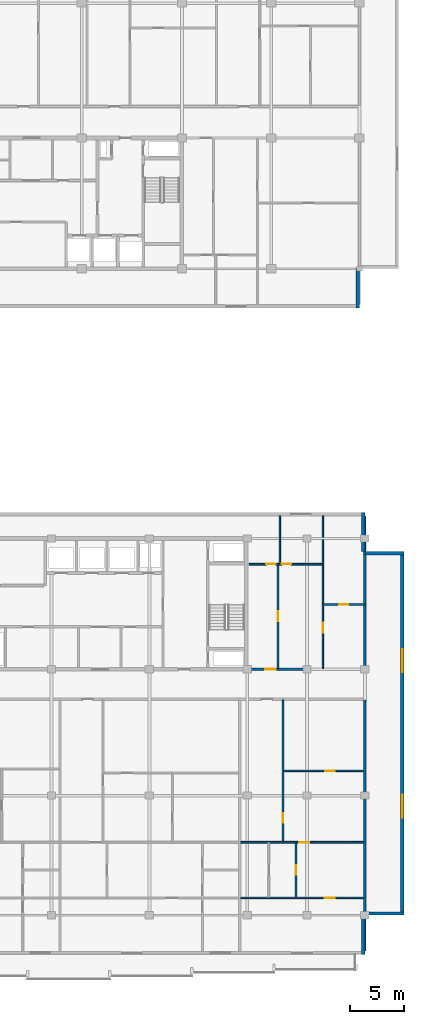
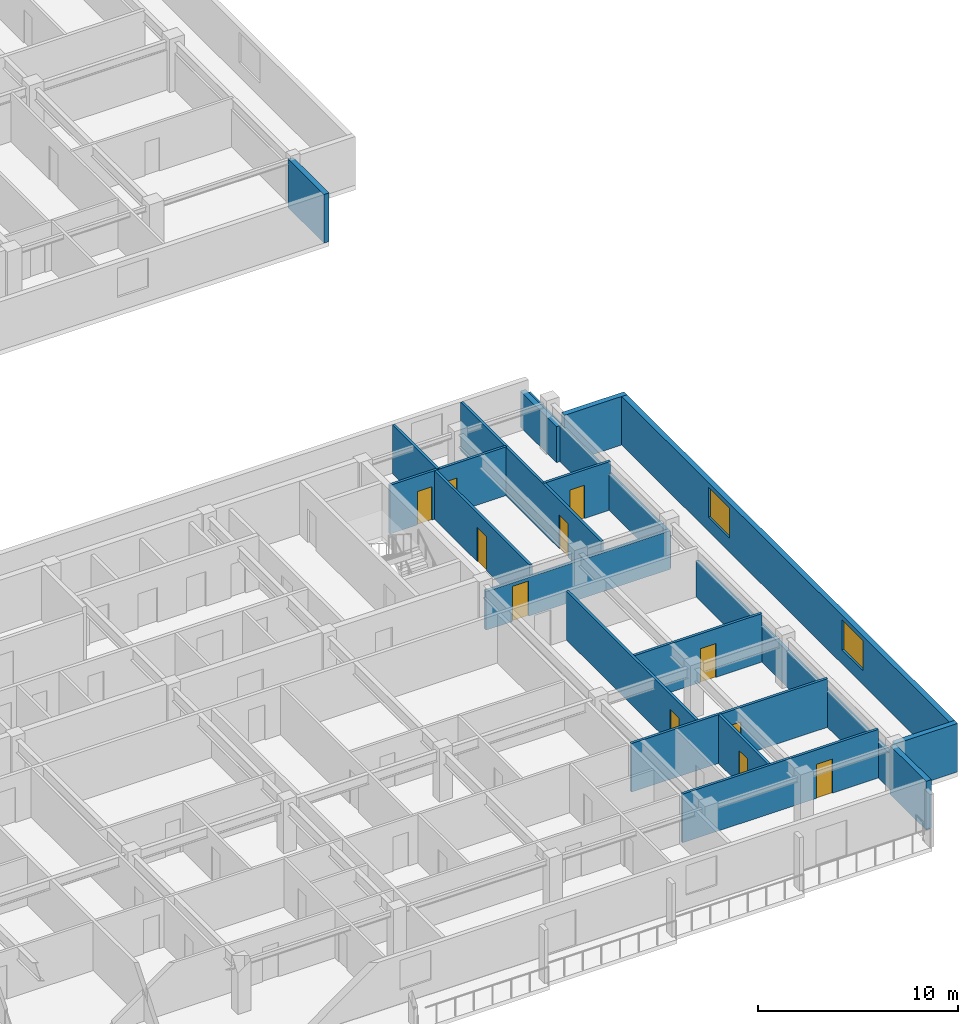
# One storey, part 9 of 21: 19 walls, 11 doors, 2 windows, 13 openings.
"""IFC4 building model written with IfcOpenShell, lengths in metres."""

from ifc_helpers import new_model, si_unit, direction, frame, frame_2d, origin, place, context, subcontext, project, spatial, rectangle, extrude, material, layer, layer_set, type_object, element, fill, save


model = new_model("IFC4")

# Units and contexts
model_context = context("Model", 3, precision=1e-05, world=origin(), true_north=direction((0.0, 1.0)))
body_context = subcontext(model_context, "Body", "Model", "MODEL_VIEW")
ifc_project = project(units=[si_unit("LENGTHUNIT", "METRE"), si_unit("AREAUNIT", "SQUARE_METRE"), si_unit("VOLUMEUNIT", "CUBIC_METRE"), si_unit("PLANEANGLEUNIT", "RADIAN"), si_unit("MASSUNIT", "GRAM", prefix="KILO")], contexts=[model_context])

# Site, building, storey
site_placement = place(None, origin())
site = spatial("IfcSite", under=ifc_project, at=site_placement, CompositionType="ELEMENT")
building_placement = place(site_placement, origin())
building = spatial("IfcBuilding", under=site, at=building_placement, Name="Korimba Cascade Residences", CompositionType="ELEMENT")
storey_placement = place(building_placement, frame((0.0, 0.0, 184.85009765625)))
storey = spatial("IfcBuildingStorey", under=building, at=storey_placement, Name="L53", CompositionType="ELEMENT", Elevation=184.85009765625)

# Walls
ifc_material_1 = material(Name="Precast concrete C40/50", Category="concrete")
ifc_layer_1 = layer(ifc_material_1, 0.300048828125)
ifc_layer_set_1 = layer_set([ifc_layer_1], Name="Precast concrete C40/50")
wall_type_1 = type_object("IfcWallType", Name="EW-STONE-300", PredefinedType="STANDARD", material=ifc_layer_set_1)
wall_1_placement = place(storey_placement, frame((128.25, 51.60009765625, 0.0), z_axis=(0.0, 0.0, 1.0), x_axis=(0.0, 1.0, 0.0)))
element("IfcWall", 1, at=wall_1_placement, inside=storey, type_object=wall_type_1, Name="L53 T1 Perimeter Stone Wall E01", PredefinedType="STANDARD", context=body_context, shape_type="SweptSolid", body=[
    extrude(rectangle(XDim=3.599853515625, YDim=0.300048828125, at=frame_2d((1.7998046875, 0.0))), origin(), (0.0, 0.0, 1.0), 2.969970703125),
])
for number, where, z_axis, x_axis, name in (
    (2, (128.75, -7.800048828125, 0.0), (0.0, 0.0, 1.0), (0.0, 1.0, 0.0), "L53 T2 Perimeter Stone Wall E01"),
    (3, (128.89990234375, -4.050048828125, 0.0), (0.0, 0.0, 1.0), (1.0, 0.0, 0.0), "L53 T2 Perimeter Stone Wall E02"),
):
    element("IfcWall", number, at=place(storey_placement, frame(where, z_axis=z_axis, x_axis=x_axis)), inside=storey, type_object=wall_type_1, Name=name, PredefinedType="STANDARD", context=body_context, shape_type="SweptSolid", body=[
        extrude(rectangle(XDim=3.60009765625, YDim=0.300048828125, at=frame_2d((1.800048828125, 0.0))), origin(), (0.0, 0.0, 1.0), 2.969970703125),
    ])

# Wall, openings, windows
wall_2_placement = place(storey_placement, frame((132.35009765625, -4.199951171875, 0.0), z_axis=(0.0, 0.0, 1.0), x_axis=(0.0, 1.0, 0.0)))
wall_2 = element("IfcWall", 4, at=wall_2_placement, inside=storey, type_object=wall_type_1, Name="L53 T2 Perimeter Stone Wall E03", PredefinedType="STANDARD", context=body_context, shape_type="SweptSolid", body=[
    extrude(rectangle(XDim=33.39990234375, YDim=0.300048828125, at=frame_2d((16.699951171875, 0.0))), origin(), (0.0, 0.0, 1.0), 2.969970703125),
])
opening_1_placement = place(wall_2_placement, frame((8.969970703125, 0.0, 0.85009765625)))
opening_1 = element("IfcOpeningElement", 5, at=opening_1_placement, cuts=wall_2, Name="Opening W-03", PredefinedType="OPENING", context=body_context, shape_type="SweptSolid", body=[
    extrude(rectangle(XDim=2.10009765625, YDim=1.85009765625, at=frame_2d((1.050048828125, 0.925048828125))), frame((0.0, 0.16015625, 0.0), z_axis=(0.0, -1.0, 0.0), x_axis=(1.0, 0.0, 0.0)), (0.0, 0.0, 1.0), 0.320068359375),
])
opening_2_placement = place(wall_2_placement, frame((22.330078125, 0.0, 0.85009765625)))
opening_2 = element("IfcOpeningElement", 6, at=opening_2_placement, cuts=wall_2, Name="Opening W-03", PredefinedType="OPENING", context=body_context, shape_type="SweptSolid", body=[
    extrude(rectangle(XDim=2.10009765625, YDim=1.85009765625, at=frame_2d((1.050048828125, 0.925048828125))), frame((0.0, 0.16015625, 0.0), z_axis=(0.0, -1.0, 0.0), x_axis=(1.0, 0.0, 0.0)), (0.0, 0.0, 1.0), 0.320068359375),
])
ifc_material_2 = material(Name="Double-Glazed Aluminium Window", Category="aluminium")
window_type = type_object("IfcWindowType", Name="WIN-CRN-2100", PartitioningType="DOUBLE_PANEL_HORIZONTAL", PredefinedType="WINDOW", material=ifc_material_2)
window_1_placement = place(opening_1_placement, origin())
window_1 = element("IfcWindow", 7, at=window_1_placement, inside=storey, type_object=window_type, Name="L53 T2 End View Window 3.1", OverallHeight=1.85009765625, OverallWidth=2.10009765625, PartitioningType="DOUBLE_PANEL_HORIZONTAL", PredefinedType="WINDOW", context=body_context, shape_type="SweptSolid", body=[
    extrude(rectangle(XDim=2.10009765625, YDim=1.85009765625, at=frame_2d((1.050048828125, 0.925048828125))), frame((0.0, 0.030029296875, 0.0), z_axis=(0.0, -1.0, 0.0), x_axis=(1.0, 0.0, 0.0)), (0.0, 0.0, 1.0), 0.06005859375),
])
fill(opening_1, window_1)
window_2_placement = place(opening_2_placement, origin())
window_2 = element("IfcWindow", 8, at=window_2_placement, inside=storey, type_object=window_type, Name="L53 T2 End View Window 3.2", OverallHeight=1.85009765625, OverallWidth=2.10009765625, PartitioningType="DOUBLE_PANEL_HORIZONTAL", PredefinedType="WINDOW", context=body_context, shape_type="SweptSolid", body=[
    extrude(rectangle(XDim=2.10009765625, YDim=1.85009765625, at=frame_2d((1.050048828125, 0.925048828125))), frame((0.0, 0.030029296875, 0.0), z_axis=(0.0, -1.0, 0.0), x_axis=(1.0, 0.0, 0.0)), (0.0, 0.0, 1.0), 0.06005859375),
])
fill(opening_2, window_2)

# Walls
wall_3_placement = place(storey_placement, frame((132.5, 29.050048828125, 0.0), z_axis=(0.0, 0.0, 1.0), x_axis=(-1.0, 0.0, 0.0)))
element("IfcWall", 9, at=wall_3_placement, inside=storey, type_object=wall_type_1, Name="L53 T2 Perimeter Stone Wall E04", PredefinedType="STANDARD", context=body_context, shape_type="SweptSolid", body=[
    extrude(rectangle(XDim=3.60009765625, YDim=0.300048828125, at=frame_2d((1.800048828125, 0.0))), origin(), (0.0, 0.0, 1.0), 2.969970703125),
])
wall_4_placement = place(storey_placement, frame((128.75, 29.199951171875, 0.0), z_axis=(0.0, 0.0, 1.0), x_axis=(0.0, 1.0, 0.0)))
element("IfcWall", 10, at=wall_4_placement, inside=storey, type_object=wall_type_1, Name="L53 T2 Perimeter Stone Wall E05", PredefinedType="STANDARD", context=body_context, shape_type="SweptSolid", body=[
    extrude(rectangle(XDim=3.60009765625, YDim=0.300048828125, at=frame_2d((1.800048828125, 0.0))), origin(), (0.0, 0.0, 1.0), 2.2001953125),
])
ifc_layer_2 = layer(ifc_material_1, 0.199951171875)
ifc_layer_set_2 = layer_set([ifc_layer_2], Name="Precast concrete C40/50")
wall_type_2 = type_object("IfcWallType", Name="WAL-IT-200", PredefinedType="PARTITIONING", material=ifc_layer_set_2)
wall_5_placement = place(storey_placement, frame((128.89990234375, 18.39990234375, 0.0), z_axis=(0.0, 0.0, 1.0), x_axis=(0.0, 1.0, 0.0)))
element("IfcWall", 11, at=wall_5_placement, inside=storey, type_object=wall_type_2, Name="L53 Partition Wall WAL-L53-T2-FE-WR", PredefinedType="PARTITIONING", context=body_context, shape_type="SweptSolid", body=[
    extrude(rectangle(XDim=14.10009765625, YDim=0.199951171875, at=frame_2d((7.050048828125, 0.0))), origin(), (0.0, 0.0, 1.0), 2.2001953125),
])

# Wall, opening, door
wall_6_placement = place(storey_placement, frame((118.25, 18.39990234375, 0.0), z_axis=(0.0, 0.0, 1.0), x_axis=(1.0, 0.0, 0.0)))
wall_6 = element("IfcWall", 12, at=wall_6_placement, inside=storey, type_object=wall_type_2, Name="L53 Partition Wall WAL-L53-T2-FE-S", PredefinedType="PARTITIONING", context=body_context, shape_type="SweptSolid", body=[
    extrude(rectangle(XDim=10.64990234375, YDim=0.199951171875, at=frame_2d((5.324951171875, 0.0))), origin(), (0.0, 0.0, 1.0), 2.357666015625),
])
opening_3_placement = place(wall_6_placement, frame((1.510009765625, 0.0, 0.0)))
opening_3 = element("IfcOpeningElement", 13, at=opening_3_placement, cuts=wall_6, Name="Opening D-UN1", PredefinedType="OPENING", context=body_context, shape_type="SweptSolid", body=[
    extrude(rectangle(XDim=0.949951171875, YDim=2.14990234375, at=frame_2d((0.47509765625, 1.074951171875))), frame((0.0, 0.10986328125, 0.0), z_axis=(0.0, -1.0, 0.0), x_axis=(1.0, 0.0, 0.0)), (0.0, 0.0, 1.0), 0.219970703125),
])
ifc_material_3 = material(Name="Fire-Rated Hardwood Apartment Entrance Door", Category="wood")
door_type_1 = type_object("IfcDoorType", Name="DR-FD60-950", OperationType="NOTDEFINED", PredefinedType="DOOR", material=ifc_material_3)
door_1_placement = place(opening_3_placement, origin())
door_1 = element("IfcDoor", 14, at=door_1_placement, inside=storey, type_object=door_type_1, Name="L53-T2-FE Entrance Door", OperationType="SINGLE_SWING_LEFT", OverallHeight=2.14990234375, OverallWidth=0.949951171875, PredefinedType="DOOR", context=body_context, shape_type="SweptSolid", body=[
    extrude(rectangle(XDim=0.949951171875, YDim=2.14990234375, at=frame_2d((0.47509765625, 1.074951171875))), frame((0.0, 0.02490234375, 0.0), z_axis=(0.0, -1.0, 0.0), x_axis=(1.0, 0.0, 0.0)), (0.0, 0.0, 1.0), 0.050048828125),
])
fill(opening_3, door_1)

# Wall
wall_7_placement = place(storey_placement, frame((128.89990234375, -7.5, 0.0), z_axis=(0.0, 0.0, 1.0), x_axis=(0.0, 1.0, 0.0)))
element("IfcWall", 15, at=wall_7_placement, inside=storey, type_object=wall_type_2, Name="L53 Partition Wall WAL-L53-T2-BNDWR", PredefinedType="PARTITIONING", context=body_context, shape_type="SweptSolid", body=[
    extrude(rectangle(XDim=23.070068359375, YDim=0.199951171875, at=frame_2d((11.53515625, 0.0))), origin(), (0.0, 0.0, 1.0), 2.2001953125),
])

# Wall, opening, door
ifc_material_4 = material(Name="Insulated Acoustic Stud Partition", Category="gypsum")
ifc_layer_3 = layer(ifc_material_4, 0.14990234375)
ifc_layer_set_3 = layer_set([ifc_layer_3], Name="Insulated Acoustic Stud Partition")
wall_type_3 = type_object("IfcWallType", Name="WAL-PART-150", PredefinedType="PARTITIONING", material=ifc_layer_set_3)
wall_8_placement = place(storey_placement, frame((125.050048828125, 24.35009765625, 0.0), z_axis=(0.0, 0.0, 1.0), x_axis=(1.0, 0.0, 0.0)))
wall_8 = element("IfcWall", 16, at=wall_8_placement, inside=storey, type_object=wall_type_3, Name="L53 Partition Wall WAL-L53-T2-FE-STH", PredefinedType="PARTITIONING", context=body_context, shape_type="SweptSolid", body=[
    extrude(rectangle(XDim=3.849853515625, YDim=0.14990234375, at=frame_2d((1.9248046875, 0.0))), origin(), (0.0, 0.0, 1.0), 2.969970703125),
])
opening_4_placement = place(wall_8_placement, frame((1.5048828125, 0.0, 0.0)))
opening_4 = element("IfcOpeningElement", 17, at=opening_4_placement, cuts=wall_8, Name="Opening D-BT1", PredefinedType="OPENING", context=body_context, shape_type="SweptSolid", body=[
    extrude(rectangle(XDim=0.840087890625, YDim=2.0400390625, at=frame_2d((0.419921875, 1.02001953125))), frame((0.0, 0.0849609375, 0.0), z_axis=(0.0, -1.0, 0.0), x_axis=(1.0, 0.0, 0.0)), (0.0, 0.0, 1.0), 0.169921875),
])
ifc_material_5 = material(Name="Moisture-Resistant Bathroom Timber Door", Category="wood")
door_type_2 = type_object("IfcDoorType", Name="DR-INT-850", OperationType="NOTDEFINED", PredefinedType="DOOR", material=ifc_material_5)
door_2_placement = place(opening_4_placement, origin())
door_2 = element("IfcDoor", 18, at=door_2_placement, inside=storey, type_object=door_type_2, Name="L53-T2-FE Dressing Store Door", OperationType="SINGLE_SWING_RIGHT", OverallHeight=2.0400390625, OverallWidth=0.840087890625, PredefinedType="DOOR", context=body_context, shape_type="SweptSolid", body=[
    extrude(rectangle(XDim=0.840087890625, YDim=2.0400390625, at=frame_2d((0.419921875, 1.02001953125))), frame((0.0, 0.02490234375, 0.0), z_axis=(0.0, -1.0, 0.0), x_axis=(1.0, 0.0, 0.0)), (0.0, 0.0, 1.0), 0.050048828125),
])
fill(opening_4, door_2)

wall_9_placement = place(storey_placement, frame((125.050048828125, 18.449951171875, 0.0), z_axis=(0.0, 0.0, 1.0), x_axis=(0.0, 1.0, 0.0)))
wall_9 = element("IfcWall", 19, at=wall_9_placement, inside=storey, type_object=wall_type_3, Name="L53 Partition Wall WAL-L53-T2-FE-STV", PredefinedType="PARTITIONING", context=body_context, shape_type="SweptSolid", body=[
    extrude(rectangle(XDim=14.050048828125, YDim=0.14990234375, at=frame_2d((7.02490234375, 0.0))), origin(), (0.0, 0.0, 1.0), 2.969970703125),
])
opening_5_placement = place(wall_9_placement, frame((3.320068359375, 0.0, 0.0)))
opening_5 = element("IfcOpeningElement", 20, at=opening_5_placement, cuts=wall_9, Name="Opening D-IN2", PredefinedType="OPENING", context=body_context, shape_type="SweptSolid", body=[
    extrude(rectangle(XDim=0.8798828125, YDim=2.06005859375, at=frame_2d((0.43994140625, 1.030029296875))), frame((0.0, 0.0849609375, 0.0), z_axis=(0.0, -1.0, 0.0), x_axis=(1.0, 0.0, 0.0)), (0.0, 0.0, 1.0), 0.169921875),
])
ifc_material_6 = material(Name="Acoustic Timber Bedroom Door", Category="wood")
door_type_3 = type_object("IfcDoorType", Name="DR-INT-880", OperationType="NOTDEFINED", PredefinedType="DOOR", material=ifc_material_6)
door_3_placement = place(opening_5_placement, origin())
door_3 = element("IfcDoor", 21, at=door_3_placement, inside=storey, type_object=door_type_3, Name="L53-T2-FE Study Door", OperationType="SINGLE_SWING_LEFT", OverallHeight=2.06005859375, OverallWidth=0.8798828125, PredefinedType="DOOR", context=body_context, shape_type="SweptSolid", body=[
    extrude(rectangle(XDim=0.8798828125, YDim=2.06005859375, at=frame_2d((0.43994140625, 1.030029296875))), frame((0.0, 0.02490234375, 0.0), z_axis=(0.0, -1.0, 0.0), x_axis=(1.0, 0.0, 0.0)), (0.0, 0.0, 1.0), 0.050048828125),
])
fill(opening_5, door_3)

wall_10_placement = place(storey_placement, frame((120.929931640625, 18.449951171875, 0.0), z_axis=(0.0, 0.0, 1.0), x_axis=(0.0, 1.0, 0.0)))
wall_10 = element("IfcWall", 22, at=wall_10_placement, inside=storey, type_object=wall_type_3, Name="L53 Partition Wall WAL-L53-T2-FE-VS", PredefinedType="PARTITIONING", context=body_context, shape_type="SweptSolid", body=[
    extrude(rectangle(XDim=9.60009765625, YDim=0.14990234375, at=frame_2d((4.800048828125, 0.0))), origin(), (0.0, 0.0, 1.0), 2.969970703125),
])
opening_6_placement = place(wall_10_placement, frame((4.340087890625, 0.0, 0.0)))
opening_6 = element("IfcOpeningElement", 23, at=opening_6_placement, cuts=wall_10, Name="Opening D-IN1", PredefinedType="OPENING", context=body_context, shape_type="SweptSolid", body=[
    extrude(rectangle(XDim=0.919921875, YDim=2.080078125, at=frame_2d((0.4599609375, 1.0400390625))), frame((0.0, 0.0849609375, 0.0), z_axis=(0.0, -1.0, 0.0), x_axis=(1.0, 0.0, 0.0)), (0.0, 0.0, 1.0), 0.169921875),
])
ifc_material_7 = material(Name="Acoustic Timber Living Door", Category="wood")
door_type_4 = type_object("IfcDoorType", Name="DR-INT-920", OperationType="NOTDEFINED", PredefinedType="DOOR", material=ifc_material_7)
door_4_placement = place(opening_6_placement, origin())
door_4 = element("IfcDoor", 24, at=door_4_placement, inside=storey, type_object=door_type_4, Name="L53-T2-FE Living Door", OperationType="SINGLE_SWING_RIGHT", OverallHeight=2.080078125, OverallWidth=0.919921875, PredefinedType="DOOR", context=body_context, shape_type="SweptSolid", body=[
    extrude(rectangle(XDim=0.919921875, YDim=2.080078125, at=frame_2d((0.4599609375, 1.0400390625))), frame((0.0, 0.02490234375, 0.0), z_axis=(0.0, -1.0, 0.0), x_axis=(1.0, 0.0, 0.0)), (0.0, 0.0, 1.0), 0.050048828125),
])
fill(opening_6, door_4)

# Wall
wall_11_placement = place(storey_placement, frame((121.10009765625, 28.050048828125, 0.0), z_axis=(0.0, 0.0, 1.0), x_axis=(0.0, 1.0, 0.0)))
element("IfcWall", 25, at=wall_11_placement, inside=storey, type_object=wall_type_3, Name="L53 Partition Wall WAL-L53-T2-FE-VN", PredefinedType="PARTITIONING", context=body_context, shape_type="SweptSolid", body=[
    extrude(rectangle(XDim=4.449951171875, YDim=0.14990234375, at=frame_2d((2.22509765625, 0.0))), origin(), (0.0, 0.0, 1.0), 2.969970703125),
])

# Wall, openings, doors
wall_12_placement = place(storey_placement, frame((118.27001953125, 28.050048828125, 0.0), z_axis=(0.0, 0.0, 1.0), x_axis=(1.0, 0.0, 0.0)))
wall_12 = element("IfcWall", 26, at=wall_12_placement, inside=storey, type_object=wall_type_3, Name="L53 Partition Wall WAL-L53-T2-FE-H", PredefinedType="PARTITIONING", context=body_context, shape_type="SweptSolid", body=[
    extrude(rectangle(XDim=6.760009765625, YDim=0.14990234375, at=frame_2d((3.3798828125, 0.0))), origin(), (0.0, 0.0, 1.0), 2.969970703125),
])
opening_7_placement = place(wall_12_placement, frame((1.58740234375, 0.0, 0.0)))
opening_7 = element("IfcOpeningElement", 27, at=opening_7_placement, cuts=wall_12, Name="Opening D-BT1", PredefinedType="OPENING", context=body_context, shape_type="SweptSolid", body=[
    extrude(rectangle(XDim=0.840087890625, YDim=2.0400390625, at=frame_2d((0.419921875, 1.02001953125))), frame((0.0, 0.0849609375, 0.0), z_axis=(0.0, -1.0, 0.0), x_axis=(1.0, 0.0, 0.0)), (0.0, 0.0, 1.0), 0.169921875),
])
opening_8_placement = place(wall_12_placement, frame((2.988037109375, 0.0, 0.0)))
opening_8 = element("IfcOpeningElement", 28, at=opening_8_placement, cuts=wall_12, Name="Opening D-IN2", PredefinedType="OPENING", context=body_context, shape_type="SweptSolid", body=[
    extrude(rectangle(XDim=0.8798828125, YDim=2.06005859375, at=frame_2d((0.43994140625, 1.030029296875))), frame((0.0, 0.0849609375, 0.0), z_axis=(0.0, -1.0, 0.0), x_axis=(1.0, 0.0, 0.0)), (0.0, 0.0, 1.0), 0.169921875),
])
door_5_placement = place(opening_7_placement, origin())
door_5 = element("IfcDoor", 29, at=door_5_placement, inside=storey, type_object=door_type_2, Name="L53-T2-FE Bathroom Door", OperationType="SINGLE_SWING_LEFT", OverallHeight=2.0400390625, OverallWidth=0.840087890625, PredefinedType="DOOR", context=body_context, shape_type="SweptSolid", body=[
    extrude(rectangle(XDim=0.840087890625, YDim=2.0400390625, at=frame_2d((0.419921875, 1.02001953125))), frame((0.0, 0.02490234375, 0.0), z_axis=(0.0, -1.0, 0.0), x_axis=(1.0, 0.0, 0.0)), (0.0, 0.0, 1.0), 0.050048828125),
])
fill(opening_7, door_5)
door_6_placement = place(opening_8_placement, origin())
door_6 = element("IfcDoor", 30, at=door_6_placement, inside=storey, type_object=door_type_3, Name="L53-T2-FE Bedroom Door", OperationType="SINGLE_SWING_RIGHT", OverallHeight=2.06005859375, OverallWidth=0.8798828125, PredefinedType="DOOR", context=body_context, shape_type="SweptSolid", body=[
    extrude(rectangle(XDim=0.8798828125, YDim=2.06005859375, at=frame_2d((0.43994140625, 1.030029296875))), frame((0.0, 0.02490234375, 0.0), z_axis=(0.0, -1.0, 0.0), x_axis=(1.0, 0.0, 0.0)), (0.0, 0.0, 1.0), 0.050048828125),
])
fill(opening_8, door_6)

# Wall, opening, door
wall_13_placement = place(storey_placement, frame((121.438232421875, 9.06494140625, 0.0), z_axis=(0.0, 0.0, 1.0), x_axis=(1.0, 0.0, 0.0)))
wall_13 = element("IfcWall", 31, at=wall_13_placement, inside=storey, type_object=wall_type_3, Name="L53 Partition Wall WAL-L53-T2-U04-FMH", PredefinedType="PARTITIONING", context=body_context, shape_type="SweptSolid", body=[
    extrude(rectangle(XDim=7.3818359375, YDim=0.14990234375, at=frame_2d((3.69091796875, 0.0))), origin(), (0.0, 0.0, 1.0), 2.969970703125),
])
opening_9_placement = place(wall_13_placement, frame((3.8310546875, 0.0, 0.0)))
opening_9 = element("IfcOpeningElement", 32, at=opening_9_placement, cuts=wall_13, Name="Opening D-IN2", PredefinedType="OPENING", context=body_context, shape_type="SweptSolid", body=[
    extrude(rectangle(XDim=0.8798828125, YDim=2.06005859375, at=frame_2d((0.43994140625, 1.030029296875))), frame((0.0, 0.0849609375, 0.0), z_axis=(0.0, -1.0, 0.0), x_axis=(1.0, 0.0, 0.0)), (0.0, 0.0, 1.0), 0.169921875),
])
door_7_placement = place(opening_9_placement, origin())
door_7 = element("IfcDoor", 33, at=door_7_placement, inside=storey, type_object=door_type_3, Name="L53-T2-U04 Library Salon Door", OperationType="SINGLE_SWING_RIGHT", OverallHeight=2.06005859375, OverallWidth=0.8798828125, PredefinedType="DOOR", context=body_context, shape_type="SweptSolid", body=[
    extrude(rectangle(XDim=0.8798828125, YDim=2.06005859375, at=frame_2d((0.43994140625, 1.030029296875))), frame((0.0, 0.02490234375, 0.0), z_axis=(0.0, -1.0, 0.0), x_axis=(1.0, 0.0, 0.0)), (0.0, 0.0, 1.0), 0.050048828125),
])
fill(opening_9, door_7)

wall_14_placement = place(storey_placement, frame((121.37841796875, 2.5400390625, 0.0), z_axis=(0.0, 0.0, 1.0), x_axis=(0.0, 1.0, 0.0)))
wall_14 = element("IfcWall", 34, at=wall_14_placement, inside=storey, type_object=wall_type_3, Name="L53 Partition Wall WAL-L53-T2-U04-FV", PredefinedType="PARTITIONING", context=body_context, shape_type="SweptSolid", body=[
    extrude(rectangle(XDim=13.050048828125, YDim=0.14990234375, at=frame_2d((6.52490234375, 0.0))), origin(), (0.0, 0.0, 1.0), 2.969970703125),
])
opening_10_placement = place(wall_14_placement, frame((1.7626953125, 0.0, 0.0)))
opening_10 = element("IfcOpeningElement", 35, at=opening_10_placement, cuts=wall_14, Name="Opening D-IN2", PredefinedType="OPENING", context=body_context, shape_type="SweptSolid", body=[
    extrude(rectangle(XDim=0.8798828125, YDim=2.06005859375, at=frame_2d((0.43994140625, 1.030029296875))), frame((0.0, 0.0849609375, 0.0), z_axis=(0.0, -1.0, 0.0), x_axis=(1.0, 0.0, 0.0)), (0.0, 0.0, 1.0), 0.169921875),
])
door_8_placement = place(opening_10_placement, origin())
door_8 = element("IfcDoor", 36, at=door_8_placement, inside=storey, type_object=door_type_3, Name="L53-T2-U04 Media Lounge Door", OperationType="SINGLE_SWING_LEFT", OverallHeight=2.06005859375, OverallWidth=0.8798828125, PredefinedType="DOOR", context=body_context, shape_type="SweptSolid", body=[
    extrude(rectangle(XDim=0.8798828125, YDim=2.06005859375, at=frame_2d((0.43994140625, 1.030029296875))), frame((0.0, 0.02490234375, 0.0), z_axis=(0.0, -1.0, 0.0), x_axis=(1.0, 0.0, 0.0)), (0.0, 0.0, 1.0), 0.050048828125),
])
fill(opening_10, door_8)

wall_15_placement = place(storey_placement, frame((122.580078125, -2.5400390625, 0.0), z_axis=(0.0, 0.0, 1.0), x_axis=(0.0, 1.0, 0.0)))
wall_15 = element("IfcWall", 37, at=wall_15_placement, inside=storey, type_object=wall_type_3, Name="L53 Partition Wall WAL-L53-T2-U04-BM", PredefinedType="PARTITIONING", context=body_context, shape_type="SweptSolid", body=[
    extrude(rectangle(XDim=5.0, YDim=0.14990234375, at=frame_2d((2.5, 0.0))), origin(), (0.0, 0.0, 1.0), 2.969970703125),
])
opening_11_placement = place(wall_15_placement, frame((2.080078125, 0.0, 0.0)))
opening_11 = element("IfcOpeningElement", 38, at=opening_11_placement, cuts=wall_15, Name="Opening D-BT1", PredefinedType="OPENING", context=body_context, shape_type="SweptSolid", body=[
    extrude(rectangle(XDim=0.840087890625, YDim=2.0400390625, at=frame_2d((0.419921875, 1.02001953125))), frame((0.0, 0.0849609375, 0.0), z_axis=(0.0, -1.0, 0.0), x_axis=(1.0, 0.0, 0.0)), (0.0, 0.0, 1.0), 0.169921875),
])
door_9_placement = place(opening_11_placement, origin())
door_9 = element("IfcDoor", 39, at=door_9_placement, inside=storey, type_object=door_type_2, Name="L53-T2-U04 Bathroom Door", OperationType="SINGLE_SWING_LEFT", OverallHeight=2.0400390625, OverallWidth=0.840087890625, PredefinedType="DOOR", context=body_context, shape_type="SweptSolid", body=[
    extrude(rectangle(XDim=0.840087890625, YDim=2.0400390625, at=frame_2d((0.419921875, 1.02001953125))), frame((0.0, 0.02490234375, 0.0), z_axis=(0.0, -1.0, 0.0), x_axis=(1.0, 0.0, 0.0)), (0.0, 0.0, 1.0), 0.050048828125),
])
fill(opening_11, door_9)

wall_16_placement = place(storey_placement, frame((117.48828125, 2.5, 0.0), z_axis=(0.0, 0.0, 1.0), x_axis=(1.0, 0.0, 0.0)))
wall_16 = element("IfcWall", 40, at=wall_16_placement, inside=storey, type_object=wall_type_3, Name="L53 Partition Wall WAL-L53-T2-U04-MW", PredefinedType="PARTITIONING", context=body_context, shape_type="SweptSolid", body=[
    extrude(rectangle(XDim=11.331787109375, YDim=0.14990234375, at=frame_2d((5.666015625, 0.0))), origin(), (0.0, 0.0, 1.0), 2.969970703125),
])
opening_12_placement = place(wall_16_placement, frame((5.407958984375, 0.0, 0.0)))
opening_12 = element("IfcOpeningElement", 41, at=opening_12_placement, cuts=wall_16, Name="Opening D-IN1", PredefinedType="OPENING", context=body_context, shape_type="SweptSolid", body=[
    extrude(rectangle(XDim=0.919921875, YDim=2.080078125, at=frame_2d((0.4599609375, 1.0400390625))), frame((0.0, 0.0849609375, 0.0), z_axis=(0.0, -1.0, 0.0), x_axis=(1.0, 0.0, 0.0)), (0.0, 0.0, 1.0), 0.169921875),
])
door_10_placement = place(opening_12_placement, origin())
door_10 = element("IfcDoor", 42, at=door_10_placement, inside=storey, type_object=door_type_4, Name="L53-T2-U04 Studio Kitchen Door", OperationType="SINGLE_SWING_RIGHT", OverallHeight=2.080078125, OverallWidth=0.919921875, PredefinedType="DOOR", context=body_context, shape_type="SweptSolid", body=[
    extrude(rectangle(XDim=0.919921875, YDim=2.080078125, at=frame_2d((0.4599609375, 1.0400390625))), frame((0.0, 0.02490234375, 0.0), z_axis=(0.0, -1.0, 0.0), x_axis=(1.0, 0.0, 0.0)), (0.0, 0.0, 1.0), 0.050048828125),
])
fill(opening_12, door_10)

wall_17_placement = place(storey_placement, frame((117.48828125, -2.60009765625, 0.0), z_axis=(0.0, 0.0, 1.0), x_axis=(1.0, 0.0, 0.0)))
wall_17 = element("IfcWall", 43, at=wall_17_placement, inside=storey, type_object=wall_type_3, Name="L53 Partition Wall WAL-L53-T2-U04-HZ", PredefinedType="PARTITIONING", context=body_context, shape_type="SweptSolid", body=[
    extrude(rectangle(XDim=11.331787109375, YDim=0.14990234375, at=frame_2d((5.666015625, 0.0))), origin(), (0.0, 0.0, 1.0), 2.969970703125),
])
opening_13_placement = place(wall_17_placement, frame((7.731689453125, 0.0, 0.0)))
opening_13 = element("IfcOpeningElement", 44, at=opening_13_placement, cuts=wall_17, Name="Opening D-IN1", PredefinedType="OPENING", context=body_context, shape_type="SweptSolid", body=[
    extrude(rectangle(XDim=0.919921875, YDim=2.080078125, at=frame_2d((0.4599609375, 1.0400390625))), frame((0.0, 0.0849609375, 0.0), z_axis=(0.0, -1.0, 0.0), x_axis=(1.0, 0.0, 0.0)), (0.0, 0.0, 1.0), 0.169921875),
])
door_11_placement = place(opening_13_placement, origin())
door_11 = element("IfcDoor", 45, at=door_11_placement, inside=storey, type_object=door_type_4, Name="L53-T2-U04 Studio Door", OperationType="SINGLE_SWING_LEFT", OverallHeight=2.080078125, OverallWidth=0.919921875, PredefinedType="DOOR", context=body_context, shape_type="SweptSolid", body=[
    extrude(rectangle(XDim=0.919921875, YDim=2.080078125, at=frame_2d((0.4599609375, 1.0400390625))), frame((0.0, 0.02490234375, 0.0), z_axis=(0.0, -1.0, 0.0), x_axis=(1.0, 0.0, 0.0)), (0.0, 0.0, 1.0), 0.050048828125),
])
fill(opening_13, door_11)

save(model, "model.ifc")
